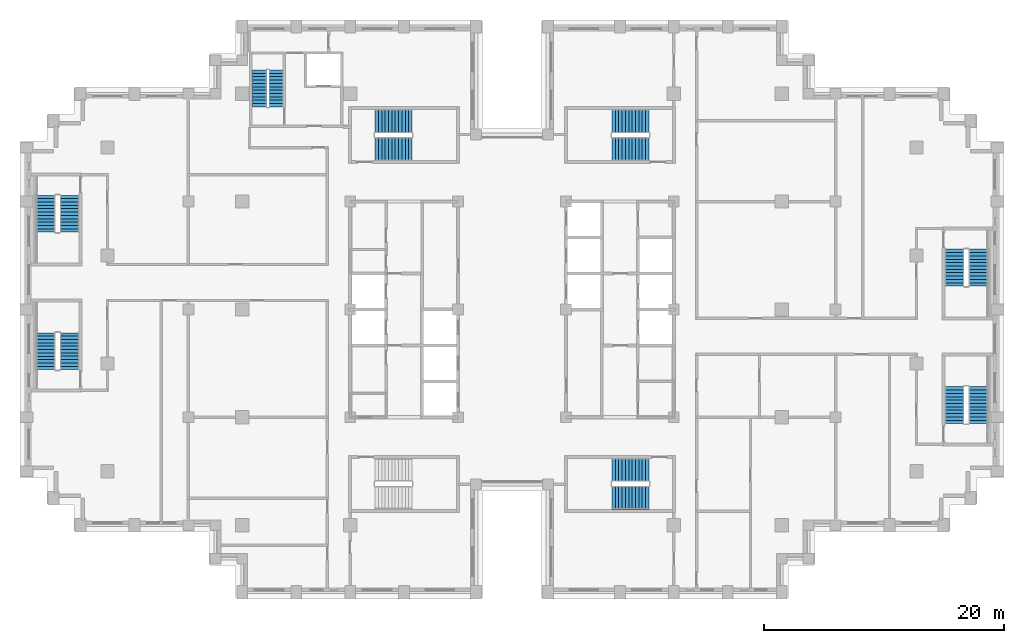
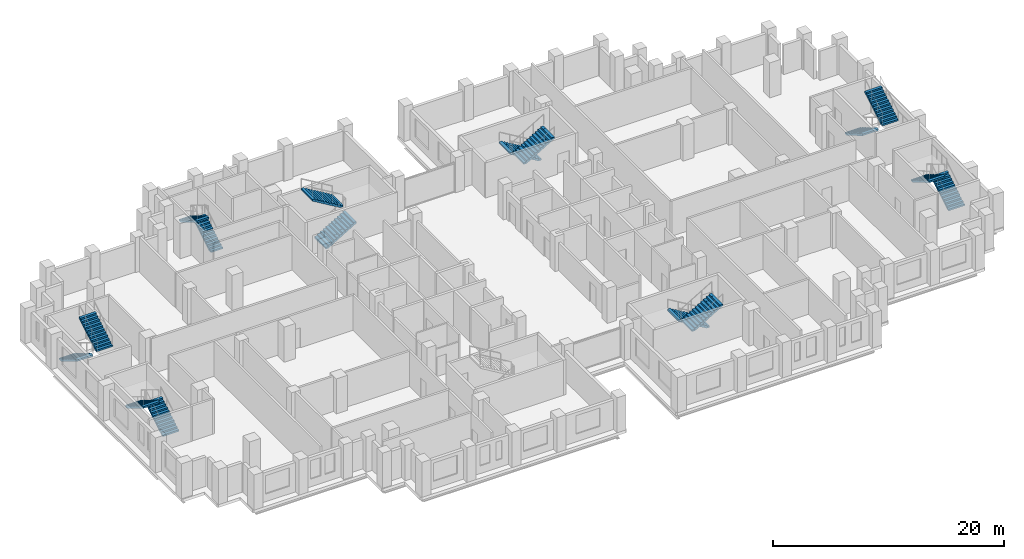
# One storey, part 13 of 15: 16 stair flights, 8 elements without a shape of their own.
"""IFC4 building model written with IfcOpenShell, lengths in metres."""

from ifc_helpers import new_model, si_unit, direction, frame, origin, place, context, subcontext, project, spatial, polyline, outline, extrude, material, type_object, element, aggregate, save


model = new_model("IFC4")

# Units and contexts
model_context = context("Model", 3, precision=1e-05, world=origin(), true_north=direction((0.0, 1.0)))
body_context = subcontext(model_context, "Body", "Model", "MODEL_VIEW")
ifc_project = project(units=[si_unit("LENGTHUNIT", "METRE"), si_unit("AREAUNIT", "SQUARE_METRE"), si_unit("VOLUMEUNIT", "CUBIC_METRE"), si_unit("PLANEANGLEUNIT", "RADIAN"), si_unit("MASSUNIT", "GRAM", prefix="KILO")], contexts=[model_context])

# Site, building, storey
site_placement = place(None, origin())
site = spatial("IfcSite", under=ifc_project, at=site_placement, CompositionType="ELEMENT")
building_placement = place(site_placement, origin())
building = spatial("IfcBuilding", under=site, at=building_placement, Name="Corbelhall Arena Tower", CompositionType="ELEMENT")
storey_placement = place(building_placement, frame((0.0, 0.0, 142.0)))
storey = spatial("IfcBuildingStorey", under=building, at=storey_placement, Name="L27", CompositionType="ELEMENT", Elevation=142.0)

# Stair, stair flights
ifc_material = material(Name="Concrete C40/50", Category="concrete")
stair_type = type_object("IfcStairType", Name="IN-ST-TOWER", PredefinedType="HALF_TURN_STAIR", material=ifc_material)
stair_1_placement = place(storey_placement, origin())
stair_1 = element("IfcStair", 1, at=stair_1_placement, inside=storey, type_object=stair_type, Name="L27 Exit stair ST1", PredefinedType="HALF_TURN_STAIR")
stair_flight_type = type_object("IfcStairFlightType", Name="IN-SFL-RC", PredefinedType="STRAIGHT", material=ifc_material)
stair_flight_1_placement = place(storey_placement, frame((-11.425048828125, 13.39990234375, 0.0), z_axis=(0.0, 0.0, 1.0), x_axis=(1.0, 0.0, 0.0)))
stair_flight_1 = element("IfcStairFlight", 2, at=stair_flight_1_placement, type_object=stair_flight_type, Name="ST1 flight 1", NumberOfRisers=12, NumberOfTreads=11, PredefinedType="STRAIGHT", RiserHeight=0.166666667, TreadLength=0.28, context=body_context, shape_type="SweptSolid", body=[
    extrude(outline(polyline([(0.0, 0.0), (0.0, 0.166748046875), (0.280029296875, 0.166748046875), (0.280029296875, 0.333251953125), (0.56005859375, 0.333251953125), (0.56005859375, 0.5), (0.840087890625, 0.5), (0.840087890625, 0.666748046875), (1.1201171875, 0.666748046875), (1.1201171875, 0.833251953125), (1.39990234375, 0.833251953125), (1.39990234375, 1.0), (1.679931640625, 1.0), (1.679931640625, 1.166748046875), (1.9599609375, 1.166748046875), (1.9599609375, 1.333251953125), (2.239990234375, 1.333251953125), (2.239990234375, 1.5), (2.52001953125, 1.5), (2.52001953125, 1.666748046875), (2.800048828125, 1.666748046875), (2.800048828125, 1.833251953125), (3.080078125, 1.833251953125), (3.080078125, 2.0), (3.080078125, 1.658935546875), (0.29296875, 0.0), (0.0, 0.0)])), frame((0.0, 0.97509765625, 0.0), z_axis=(0.0, -1.0, 0.0), x_axis=(1.0, 0.0, 0.0)), (0.0, 0.0, 1.0), 0.449951171875),
    extrude(outline(polyline([(0.0, 0.0), (0.0, 0.166748046875), (0.280029296875, 0.166748046875), (0.280029296875, 0.333251953125), (0.56005859375, 0.333251953125), (0.56005859375, 0.5), (0.840087890625, 0.5), (0.840087890625, 0.666748046875), (1.1201171875, 0.666748046875), (1.1201171875, 0.833251953125), (1.39990234375, 0.833251953125), (1.39990234375, 1.0), (1.679931640625, 1.0), (1.679931640625, 1.166748046875), (1.9599609375, 1.166748046875), (1.9599609375, 1.333251953125), (2.239990234375, 1.333251953125), (2.239990234375, 1.5), (2.52001953125, 1.5), (2.52001953125, 1.666748046875), (2.800048828125, 1.666748046875), (2.800048828125, 1.833251953125), (3.080078125, 1.833251953125), (3.080078125, 2.0), (3.080078125, 1.658935546875), (0.29296875, 0.0), (0.0, 0.0)])), frame((0.0, 0.52099609375, 0.0), z_axis=(0.0, -1.0, 0.0), x_axis=(1.0, 0.0, 0.0)), (0.0, 0.0, 1.0), 1.0419921875),
    extrude(outline(polyline([(0.0, 0.0), (0.0, 0.166748046875), (0.280029296875, 0.166748046875), (0.280029296875, 0.333251953125), (0.56005859375, 0.333251953125), (0.56005859375, 0.5), (0.840087890625, 0.5), (0.840087890625, 0.666748046875), (1.1201171875, 0.666748046875), (1.1201171875, 0.833251953125), (1.39990234375, 0.833251953125), (1.39990234375, 1.0), (1.679931640625, 1.0), (1.679931640625, 1.166748046875), (1.9599609375, 1.166748046875), (1.9599609375, 1.333251953125), (2.239990234375, 1.333251953125), (2.239990234375, 1.5), (2.52001953125, 1.5), (2.52001953125, 1.666748046875), (2.800048828125, 1.666748046875), (2.800048828125, 1.833251953125), (3.080078125, 1.833251953125), (3.080078125, 2.0), (3.080078125, 1.658935546875), (0.29296875, 0.0), (0.0, 0.0)])), frame((0.0, -0.52490234375, 0.0), z_axis=(0.0, -1.0, 0.0), x_axis=(1.0, 0.0, 0.0)), (0.0, 0.0, 1.0), 0.449951171875),
])
stair_flight_2_placement = place(storey_placement, frame((-8.344970703125, 15.699951171875, 2.0), z_axis=(0.0, 0.0, 1.0), x_axis=(-1.0, 0.0, 0.0)))
stair_flight_2 = element("IfcStairFlight", 3, at=stair_flight_2_placement, type_object=stair_flight_type, Name="ST1 flight 2", NumberOfRisers=12, NumberOfTreads=11, PredefinedType="STRAIGHT", RiserHeight=0.166666667, TreadLength=0.28, context=body_context, shape_type="SweptSolid", body=[
    extrude(outline(polyline([(0.0, 0.0), (0.0, 0.166748046875), (0.280029296875, 0.166748046875), (0.280029296875, 0.333251953125), (0.56005859375, 0.333251953125), (0.56005859375, 0.5), (0.840087890625, 0.5), (0.840087890625, 0.666748046875), (1.1201171875, 0.666748046875), (1.1201171875, 0.833251953125), (1.39990234375, 0.833251953125), (1.39990234375, 1.0), (1.679931640625, 1.0), (1.679931640625, 1.166748046875), (1.9599609375, 1.166748046875), (1.9599609375, 1.333251953125), (2.239990234375, 1.333251953125), (2.239990234375, 1.5), (2.52001953125, 1.5), (2.52001953125, 1.666748046875), (2.800048828125, 1.666748046875), (2.800048828125, 1.833251953125), (3.080078125, 1.833251953125), (3.080078125, 2.0), (3.080078125, 1.658935546875), (0.29296875, 0.0), (0.0, 0.0)])), frame((0.0, 0.97509765625, 0.0), z_axis=(0.0, -1.0, 0.0), x_axis=(1.0, 0.0, 0.0)), (0.0, 0.0, 1.0), 0.449951171875),
    extrude(outline(polyline([(0.0, 0.0), (0.0, 0.166748046875), (0.280029296875, 0.166748046875), (0.280029296875, 0.333251953125), (0.56005859375, 0.333251953125), (0.56005859375, 0.5), (0.840087890625, 0.5), (0.840087890625, 0.666748046875), (1.1201171875, 0.666748046875), (1.1201171875, 0.833251953125), (1.39990234375, 0.833251953125), (1.39990234375, 1.0), (1.679931640625, 1.0), (1.679931640625, 1.166748046875), (1.9599609375, 1.166748046875), (1.9599609375, 1.333251953125), (2.239990234375, 1.333251953125), (2.239990234375, 1.5), (2.52001953125, 1.5), (2.52001953125, 1.666748046875), (2.800048828125, 1.666748046875), (2.800048828125, 1.833251953125), (3.080078125, 1.833251953125), (3.080078125, 2.0), (3.080078125, 1.658935546875), (0.29296875, 0.0), (0.0, 0.0)])), frame((0.0, 0.52099609375, 0.0), z_axis=(0.0, -1.0, 0.0), x_axis=(1.0, 0.0, 0.0)), (0.0, 0.0, 1.0), 1.0419921875),
    extrude(outline(polyline([(0.0, 0.0), (0.0, 0.166748046875), (0.280029296875, 0.166748046875), (0.280029296875, 0.333251953125), (0.56005859375, 0.333251953125), (0.56005859375, 0.5), (0.840087890625, 0.5), (0.840087890625, 0.666748046875), (1.1201171875, 0.666748046875), (1.1201171875, 0.833251953125), (1.39990234375, 0.833251953125), (1.39990234375, 1.0), (1.679931640625, 1.0), (1.679931640625, 1.166748046875), (1.9599609375, 1.166748046875), (1.9599609375, 1.333251953125), (2.239990234375, 1.333251953125), (2.239990234375, 1.5), (2.52001953125, 1.5), (2.52001953125, 1.666748046875), (2.800048828125, 1.666748046875), (2.800048828125, 1.833251953125), (3.080078125, 1.833251953125), (3.080078125, 2.0), (3.080078125, 1.658935546875), (0.29296875, 0.0), (0.0, 0.0)])), frame((0.0, -0.52490234375, 0.0), z_axis=(0.0, -1.0, 0.0), x_axis=(1.0, 0.0, 0.0)), (0.0, 0.0, 1.0), 0.449951171875),
])
aggregate(stair_1, [stair_flight_1, stair_flight_2])

stair_2_placement = place(storey_placement, origin())
stair_2 = element("IfcStair", 4, at=stair_2_placement, inside=storey, type_object=stair_type, Name="L27 Exit stair ST3", PredefinedType="HALF_TURN_STAIR")
stair_flight_3_placement = place(storey_placement, frame((11.425048828125, 15.699951171875, 0.0), z_axis=(0.0, 0.0, 1.0), x_axis=(-1.0, 0.0, 0.0)))
stair_flight_3 = element("IfcStairFlight", 5, at=stair_flight_3_placement, type_object=stair_flight_type, Name="ST3 flight 1", NumberOfRisers=12, NumberOfTreads=11, PredefinedType="STRAIGHT", RiserHeight=0.166666667, TreadLength=0.28, context=body_context, shape_type="SweptSolid", body=[
    extrude(outline(polyline([(0.0, 0.0), (0.0, 0.166748046875), (0.280029296875, 0.166748046875), (0.280029296875, 0.333251953125), (0.56005859375, 0.333251953125), (0.56005859375, 0.5), (0.840087890625, 0.5), (0.840087890625, 0.666748046875), (1.1201171875, 0.666748046875), (1.1201171875, 0.833251953125), (1.39990234375, 0.833251953125), (1.39990234375, 1.0), (1.679931640625, 1.0), (1.679931640625, 1.166748046875), (1.9599609375, 1.166748046875), (1.9599609375, 1.333251953125), (2.239990234375, 1.333251953125), (2.239990234375, 1.5), (2.52001953125, 1.5), (2.52001953125, 1.666748046875), (2.800048828125, 1.666748046875), (2.800048828125, 1.833251953125), (3.080078125, 1.833251953125), (3.080078125, 2.0), (3.080078125, 1.658935546875), (0.29296875, 0.0), (0.0, 0.0)])), frame((0.0, 0.97509765625, 0.0), z_axis=(0.0, -1.0, 0.0), x_axis=(1.0, 0.0, 0.0)), (0.0, 0.0, 1.0), 0.449951171875),
    extrude(outline(polyline([(0.0, 0.0), (0.0, 0.166748046875), (0.280029296875, 0.166748046875), (0.280029296875, 0.333251953125), (0.56005859375, 0.333251953125), (0.56005859375, 0.5), (0.840087890625, 0.5), (0.840087890625, 0.666748046875), (1.1201171875, 0.666748046875), (1.1201171875, 0.833251953125), (1.39990234375, 0.833251953125), (1.39990234375, 1.0), (1.679931640625, 1.0), (1.679931640625, 1.166748046875), (1.9599609375, 1.166748046875), (1.9599609375, 1.333251953125), (2.239990234375, 1.333251953125), (2.239990234375, 1.5), (2.52001953125, 1.5), (2.52001953125, 1.666748046875), (2.800048828125, 1.666748046875), (2.800048828125, 1.833251953125), (3.080078125, 1.833251953125), (3.080078125, 2.0), (3.080078125, 1.658935546875), (0.29296875, 0.0), (0.0, 0.0)])), frame((0.0, 0.52099609375, 0.0), z_axis=(0.0, -1.0, 0.0), x_axis=(1.0, 0.0, 0.0)), (0.0, 0.0, 1.0), 1.0419921875),
    extrude(outline(polyline([(0.0, 0.0), (0.0, 0.166748046875), (0.280029296875, 0.166748046875), (0.280029296875, 0.333251953125), (0.56005859375, 0.333251953125), (0.56005859375, 0.5), (0.840087890625, 0.5), (0.840087890625, 0.666748046875), (1.1201171875, 0.666748046875), (1.1201171875, 0.833251953125), (1.39990234375, 0.833251953125), (1.39990234375, 1.0), (1.679931640625, 1.0), (1.679931640625, 1.166748046875), (1.9599609375, 1.166748046875), (1.9599609375, 1.333251953125), (2.239990234375, 1.333251953125), (2.239990234375, 1.5), (2.52001953125, 1.5), (2.52001953125, 1.666748046875), (2.800048828125, 1.666748046875), (2.800048828125, 1.833251953125), (3.080078125, 1.833251953125), (3.080078125, 2.0), (3.080078125, 1.658935546875), (0.29296875, 0.0), (0.0, 0.0)])), frame((0.0, -0.52490234375, 0.0), z_axis=(0.0, -1.0, 0.0), x_axis=(1.0, 0.0, 0.0)), (0.0, 0.0, 1.0), 0.449951171875),
])
stair_flight_4_placement = place(storey_placement, frame((8.344970703125, 13.39990234375, 2.0), z_axis=(0.0, 0.0, 1.0), x_axis=(1.0, 0.0, 0.0)))
stair_flight_4 = element("IfcStairFlight", 6, at=stair_flight_4_placement, type_object=stair_flight_type, Name="ST3 flight 2", NumberOfRisers=12, NumberOfTreads=11, PredefinedType="STRAIGHT", RiserHeight=0.166666667, TreadLength=0.28, context=body_context, shape_type="SweptSolid", body=[
    extrude(outline(polyline([(0.0, 0.0), (0.0, 0.166748046875), (0.280029296875, 0.166748046875), (0.280029296875, 0.333251953125), (0.56005859375, 0.333251953125), (0.56005859375, 0.5), (0.840087890625, 0.5), (0.840087890625, 0.666748046875), (1.1201171875, 0.666748046875), (1.1201171875, 0.833251953125), (1.39990234375, 0.833251953125), (1.39990234375, 1.0), (1.679931640625, 1.0), (1.679931640625, 1.166748046875), (1.9599609375, 1.166748046875), (1.9599609375, 1.333251953125), (2.239990234375, 1.333251953125), (2.239990234375, 1.5), (2.52001953125, 1.5), (2.52001953125, 1.666748046875), (2.800048828125, 1.666748046875), (2.800048828125, 1.833251953125), (3.080078125, 1.833251953125), (3.080078125, 2.0), (3.080078125, 1.658935546875), (0.29296875, 0.0), (0.0, 0.0)])), frame((0.0, 0.97509765625, 0.0), z_axis=(0.0, -1.0, 0.0), x_axis=(1.0, 0.0, 0.0)), (0.0, 0.0, 1.0), 0.449951171875),
    extrude(outline(polyline([(0.0, 0.0), (0.0, 0.166748046875), (0.280029296875, 0.166748046875), (0.280029296875, 0.333251953125), (0.56005859375, 0.333251953125), (0.56005859375, 0.5), (0.840087890625, 0.5), (0.840087890625, 0.666748046875), (1.1201171875, 0.666748046875), (1.1201171875, 0.833251953125), (1.39990234375, 0.833251953125), (1.39990234375, 1.0), (1.679931640625, 1.0), (1.679931640625, 1.166748046875), (1.9599609375, 1.166748046875), (1.9599609375, 1.333251953125), (2.239990234375, 1.333251953125), (2.239990234375, 1.5), (2.52001953125, 1.5), (2.52001953125, 1.666748046875), (2.800048828125, 1.666748046875), (2.800048828125, 1.833251953125), (3.080078125, 1.833251953125), (3.080078125, 2.0), (3.080078125, 1.658935546875), (0.29296875, 0.0), (0.0, 0.0)])), frame((0.0, 0.52099609375, 0.0), z_axis=(0.0, -1.0, 0.0), x_axis=(1.0, 0.0, 0.0)), (0.0, 0.0, 1.0), 1.0419921875),
    extrude(outline(polyline([(0.0, 0.0), (0.0, 0.166748046875), (0.280029296875, 0.166748046875), (0.280029296875, 0.333251953125), (0.56005859375, 0.333251953125), (0.56005859375, 0.5), (0.840087890625, 0.5), (0.840087890625, 0.666748046875), (1.1201171875, 0.666748046875), (1.1201171875, 0.833251953125), (1.39990234375, 0.833251953125), (1.39990234375, 1.0), (1.679931640625, 1.0), (1.679931640625, 1.166748046875), (1.9599609375, 1.166748046875), (1.9599609375, 1.333251953125), (2.239990234375, 1.333251953125), (2.239990234375, 1.5), (2.52001953125, 1.5), (2.52001953125, 1.666748046875), (2.800048828125, 1.666748046875), (2.800048828125, 1.833251953125), (3.080078125, 1.833251953125), (3.080078125, 2.0), (3.080078125, 1.658935546875), (0.29296875, 0.0), (0.0, 0.0)])), frame((0.0, -0.52490234375, 0.0), z_axis=(0.0, -1.0, 0.0), x_axis=(1.0, 0.0, 0.0)), (0.0, 0.0, 1.0), 0.449951171875),
])
aggregate(stair_2, [stair_flight_3, stair_flight_4])

stair_3_placement = place(storey_placement, origin())
stair_3 = element("IfcStair", 7, at=stair_3_placement, inside=storey, type_object=stair_type, Name="L27 Exit stair ST4", PredefinedType="HALF_TURN_STAIR")
stair_flight_5_placement = place(storey_placement, frame((11.425048828125, -13.39990234375, 0.0), z_axis=(0.0, 0.0, 1.0), x_axis=(-1.0, 0.0, 0.0)))
stair_flight_5 = element("IfcStairFlight", 8, at=stair_flight_5_placement, type_object=stair_flight_type, Name="ST4 flight 1", NumberOfRisers=12, NumberOfTreads=11, PredefinedType="STRAIGHT", RiserHeight=0.166666667, TreadLength=0.28, context=body_context, shape_type="SweptSolid", body=[
    extrude(outline(polyline([(0.0, 0.0), (0.0, 0.166748046875), (0.280029296875, 0.166748046875), (0.280029296875, 0.333251953125), (0.56005859375, 0.333251953125), (0.56005859375, 0.5), (0.840087890625, 0.5), (0.840087890625, 0.666748046875), (1.1201171875, 0.666748046875), (1.1201171875, 0.833251953125), (1.39990234375, 0.833251953125), (1.39990234375, 1.0), (1.679931640625, 1.0), (1.679931640625, 1.166748046875), (1.9599609375, 1.166748046875), (1.9599609375, 1.333251953125), (2.239990234375, 1.333251953125), (2.239990234375, 1.5), (2.52001953125, 1.5), (2.52001953125, 1.666748046875), (2.800048828125, 1.666748046875), (2.800048828125, 1.833251953125), (3.080078125, 1.833251953125), (3.080078125, 2.0), (3.080078125, 1.658935546875), (0.29296875, 0.0), (0.0, 0.0)])), frame((0.0, 0.97509765625, 0.0), z_axis=(0.0, -1.0, 0.0), x_axis=(1.0, 0.0, 0.0)), (0.0, 0.0, 1.0), 0.449951171875),
    extrude(outline(polyline([(0.0, 0.0), (0.0, 0.166748046875), (0.280029296875, 0.166748046875), (0.280029296875, 0.333251953125), (0.56005859375, 0.333251953125), (0.56005859375, 0.5), (0.840087890625, 0.5), (0.840087890625, 0.666748046875), (1.1201171875, 0.666748046875), (1.1201171875, 0.833251953125), (1.39990234375, 0.833251953125), (1.39990234375, 1.0), (1.679931640625, 1.0), (1.679931640625, 1.166748046875), (1.9599609375, 1.166748046875), (1.9599609375, 1.333251953125), (2.239990234375, 1.333251953125), (2.239990234375, 1.5), (2.52001953125, 1.5), (2.52001953125, 1.666748046875), (2.800048828125, 1.666748046875), (2.800048828125, 1.833251953125), (3.080078125, 1.833251953125), (3.080078125, 2.0), (3.080078125, 1.658935546875), (0.29296875, 0.0), (0.0, 0.0)])), frame((0.0, 0.52099609375, 0.0), z_axis=(0.0, -1.0, 0.0), x_axis=(1.0, 0.0, 0.0)), (0.0, 0.0, 1.0), 1.0419921875),
    extrude(outline(polyline([(0.0, 0.0), (0.0, 0.166748046875), (0.280029296875, 0.166748046875), (0.280029296875, 0.333251953125), (0.56005859375, 0.333251953125), (0.56005859375, 0.5), (0.840087890625, 0.5), (0.840087890625, 0.666748046875), (1.1201171875, 0.666748046875), (1.1201171875, 0.833251953125), (1.39990234375, 0.833251953125), (1.39990234375, 1.0), (1.679931640625, 1.0), (1.679931640625, 1.166748046875), (1.9599609375, 1.166748046875), (1.9599609375, 1.333251953125), (2.239990234375, 1.333251953125), (2.239990234375, 1.5), (2.52001953125, 1.5), (2.52001953125, 1.666748046875), (2.800048828125, 1.666748046875), (2.800048828125, 1.833251953125), (3.080078125, 1.833251953125), (3.080078125, 2.0), (3.080078125, 1.658935546875), (0.29296875, 0.0), (0.0, 0.0)])), frame((0.0, -0.52490234375, 0.0), z_axis=(0.0, -1.0, 0.0), x_axis=(1.0, 0.0, 0.0)), (0.0, 0.0, 1.0), 0.449951171875),
])
stair_flight_6_placement = place(storey_placement, frame((8.344970703125, -15.699951171875, 2.0), z_axis=(0.0, 0.0, 1.0), x_axis=(1.0, 0.0, 0.0)))
stair_flight_6 = element("IfcStairFlight", 9, at=stair_flight_6_placement, type_object=stair_flight_type, Name="ST4 flight 2", NumberOfRisers=12, NumberOfTreads=11, PredefinedType="STRAIGHT", RiserHeight=0.166666667, TreadLength=0.28, context=body_context, shape_type="SweptSolid", body=[
    extrude(outline(polyline([(0.0, 0.0), (0.0, 0.166748046875), (0.280029296875, 0.166748046875), (0.280029296875, 0.333251953125), (0.56005859375, 0.333251953125), (0.56005859375, 0.5), (0.840087890625, 0.5), (0.840087890625, 0.666748046875), (1.1201171875, 0.666748046875), (1.1201171875, 0.833251953125), (1.39990234375, 0.833251953125), (1.39990234375, 1.0), (1.679931640625, 1.0), (1.679931640625, 1.166748046875), (1.9599609375, 1.166748046875), (1.9599609375, 1.333251953125), (2.239990234375, 1.333251953125), (2.239990234375, 1.5), (2.52001953125, 1.5), (2.52001953125, 1.666748046875), (2.800048828125, 1.666748046875), (2.800048828125, 1.833251953125), (3.080078125, 1.833251953125), (3.080078125, 2.0), (3.080078125, 1.658935546875), (0.29296875, 0.0), (0.0, 0.0)])), frame((0.0, 0.97509765625, 0.0), z_axis=(0.0, -1.0, 0.0), x_axis=(1.0, 0.0, 0.0)), (0.0, 0.0, 1.0), 0.449951171875),
    extrude(outline(polyline([(0.0, 0.0), (0.0, 0.166748046875), (0.280029296875, 0.166748046875), (0.280029296875, 0.333251953125), (0.56005859375, 0.333251953125), (0.56005859375, 0.5), (0.840087890625, 0.5), (0.840087890625, 0.666748046875), (1.1201171875, 0.666748046875), (1.1201171875, 0.833251953125), (1.39990234375, 0.833251953125), (1.39990234375, 1.0), (1.679931640625, 1.0), (1.679931640625, 1.166748046875), (1.9599609375, 1.166748046875), (1.9599609375, 1.333251953125), (2.239990234375, 1.333251953125), (2.239990234375, 1.5), (2.52001953125, 1.5), (2.52001953125, 1.666748046875), (2.800048828125, 1.666748046875), (2.800048828125, 1.833251953125), (3.080078125, 1.833251953125), (3.080078125, 2.0), (3.080078125, 1.658935546875), (0.29296875, 0.0), (0.0, 0.0)])), frame((0.0, 0.52099609375, 0.0), z_axis=(0.0, -1.0, 0.0), x_axis=(1.0, 0.0, 0.0)), (0.0, 0.0, 1.0), 1.0419921875),
    extrude(outline(polyline([(0.0, 0.0), (0.0, 0.166748046875), (0.280029296875, 0.166748046875), (0.280029296875, 0.333251953125), (0.56005859375, 0.333251953125), (0.56005859375, 0.5), (0.840087890625, 0.5), (0.840087890625, 0.666748046875), (1.1201171875, 0.666748046875), (1.1201171875, 0.833251953125), (1.39990234375, 0.833251953125), (1.39990234375, 1.0), (1.679931640625, 1.0), (1.679931640625, 1.166748046875), (1.9599609375, 1.166748046875), (1.9599609375, 1.333251953125), (2.239990234375, 1.333251953125), (2.239990234375, 1.5), (2.52001953125, 1.5), (2.52001953125, 1.666748046875), (2.800048828125, 1.666748046875), (2.800048828125, 1.833251953125), (3.080078125, 1.833251953125), (3.080078125, 2.0), (3.080078125, 1.658935546875), (0.29296875, 0.0), (0.0, 0.0)])), frame((0.0, -0.52490234375, 0.0), z_axis=(0.0, -1.0, 0.0), x_axis=(1.0, 0.0, 0.0)), (0.0, 0.0, 1.0), 0.449951171875),
])
aggregate(stair_3, [stair_flight_5, stair_flight_6])

stair_4_placement = place(storey_placement, origin())
stair_4 = element("IfcStair", 10, at=stair_4_placement, inside=storey, type_object=stair_type, Name="L27 Exit stair SC1", PredefinedType="HALF_TURN_STAIR")
stair_flight_7_placement = place(storey_placement, frame((-38.89990234375, 9.52490234375, 0.0), z_axis=(0.0, 0.0, 1.0), x_axis=(0.0, -1.0, 0.0)))
stair_flight_7 = element("IfcStairFlight", 11, at=stair_flight_7_placement, type_object=stair_flight_type, Name="SC1 flight 1", NumberOfRisers=12, NumberOfTreads=11, PredefinedType="STRAIGHT", RiserHeight=0.166666667, TreadLength=0.28, context=body_context, shape_type="SweptSolid", body=[
    extrude(outline(polyline([(0.0, 0.0), (0.0, 0.166748046875), (0.280029296875, 0.166748046875), (0.280029296875, 0.333251953125), (0.56005859375, 0.333251953125), (0.56005859375, 0.5), (0.840087890625, 0.5), (0.840087890625, 0.666748046875), (1.1201171875, 0.666748046875), (1.1201171875, 0.833251953125), (1.39990234375, 0.833251953125), (1.39990234375, 1.0), (1.679931640625, 1.0), (1.679931640625, 1.166748046875), (1.9599609375, 1.166748046875), (1.9599609375, 1.333251953125), (2.239990234375, 1.333251953125), (2.239990234375, 1.5), (2.52001953125, 1.5), (2.52001953125, 1.666748046875), (2.800048828125, 1.666748046875), (2.800048828125, 1.833251953125), (3.080078125, 1.833251953125), (3.080078125, 2.0), (3.080078125, 1.658935546875), (0.29296875, 0.0), (0.0, 0.0)])), frame((0.0, 0.800048828125, 0.0), z_axis=(0.0, -1.0, 0.0), x_axis=(1.0, 0.0, 0.0)), (0.0, 0.0, 1.0), 1.60009765625),
])
stair_flight_8_placement = place(storey_placement, frame((-36.925048828125, 6.445068359375, 2.0), z_axis=(0.0, 0.0, 1.0), x_axis=(0.0, 1.0, 0.0)))
stair_flight_8 = element("IfcStairFlight", 12, at=stair_flight_8_placement, type_object=stair_flight_type, Name="SC1 flight 2", NumberOfRisers=12, NumberOfTreads=11, PredefinedType="STRAIGHT", RiserHeight=0.166666667, TreadLength=0.28, context=body_context, shape_type="SweptSolid", body=[
    extrude(outline(polyline([(0.0, 0.0), (0.0, 0.166748046875), (0.280029296875, 0.166748046875), (0.280029296875, 0.333251953125), (0.56005859375, 0.333251953125), (0.56005859375, 0.5), (0.840087890625, 0.5), (0.840087890625, 0.666748046875), (1.1201171875, 0.666748046875), (1.1201171875, 0.833251953125), (1.39990234375, 0.833251953125), (1.39990234375, 1.0), (1.679931640625, 1.0), (1.679931640625, 1.166748046875), (1.9599609375, 1.166748046875), (1.9599609375, 1.333251953125), (2.239990234375, 1.333251953125), (2.239990234375, 1.5), (2.52001953125, 1.5), (2.52001953125, 1.666748046875), (2.800048828125, 1.666748046875), (2.800048828125, 1.833251953125), (3.080078125, 1.833251953125), (3.080078125, 2.0), (3.080078125, 1.658935546875), (0.29296875, 0.0), (0.0, 0.0)])), frame((0.0, 0.800048828125, 0.0), z_axis=(0.0, -1.0, 0.0), x_axis=(1.0, 0.0, 0.0)), (0.0, 0.0, 1.0), 1.60009765625),
])
aggregate(stair_4, [stair_flight_7, stair_flight_8])

stair_5_placement = place(storey_placement, origin())
stair_5 = element("IfcStair", 13, at=stair_5_placement, inside=storey, type_object=stair_type, Name="L27 Exit stair SC2", PredefinedType="HALF_TURN_STAIR")
stair_flight_9_placement = place(storey_placement, frame((-36.925048828125, -5.02490234375, 0.0), z_axis=(0.0, 0.0, 1.0), x_axis=(0.0, 1.0, 0.0)))
stair_flight_9 = element("IfcStairFlight", 14, at=stair_flight_9_placement, type_object=stair_flight_type, Name="SC2 flight 1", NumberOfRisers=12, NumberOfTreads=11, PredefinedType="STRAIGHT", RiserHeight=0.166666667, TreadLength=0.28, context=body_context, shape_type="SweptSolid", body=[
    extrude(outline(polyline([(0.0, 0.0), (0.0, 0.166748046875), (0.280029296875, 0.166748046875), (0.280029296875, 0.333251953125), (0.56005859375, 0.333251953125), (0.56005859375, 0.5), (0.840087890625, 0.5), (0.840087890625, 0.666748046875), (1.1201171875, 0.666748046875), (1.1201171875, 0.833251953125), (1.39990234375, 0.833251953125), (1.39990234375, 1.0), (1.679931640625, 1.0), (1.679931640625, 1.166748046875), (1.9599609375, 1.166748046875), (1.9599609375, 1.333251953125), (2.239990234375, 1.333251953125), (2.239990234375, 1.5), (2.52001953125, 1.5), (2.52001953125, 1.666748046875), (2.800048828125, 1.666748046875), (2.800048828125, 1.833251953125), (3.080078125, 1.833251953125), (3.080078125, 2.0), (3.080078125, 1.658935546875), (0.29296875, 0.0), (0.0, 0.0)])), frame((0.0, 0.800048828125, 0.0), z_axis=(0.0, -1.0, 0.0), x_axis=(1.0, 0.0, 0.0)), (0.0, 0.0, 1.0), 1.60009765625),
])
stair_flight_10_placement = place(storey_placement, frame((-38.89990234375, -1.945068359375, 2.0), z_axis=(0.0, 0.0, 1.0), x_axis=(0.0, -1.0, 0.0)))
stair_flight_10 = element("IfcStairFlight", 15, at=stair_flight_10_placement, type_object=stair_flight_type, Name="SC2 flight 2", NumberOfRisers=12, NumberOfTreads=11, PredefinedType="STRAIGHT", RiserHeight=0.166666667, TreadLength=0.28, context=body_context, shape_type="SweptSolid", body=[
    extrude(outline(polyline([(0.0, 0.0), (0.0, 0.166748046875), (0.280029296875, 0.166748046875), (0.280029296875, 0.333251953125), (0.56005859375, 0.333251953125), (0.56005859375, 0.5), (0.840087890625, 0.5), (0.840087890625, 0.666748046875), (1.1201171875, 0.666748046875), (1.1201171875, 0.833251953125), (1.39990234375, 0.833251953125), (1.39990234375, 1.0), (1.679931640625, 1.0), (1.679931640625, 1.166748046875), (1.9599609375, 1.166748046875), (1.9599609375, 1.333251953125), (2.239990234375, 1.333251953125), (2.239990234375, 1.5), (2.52001953125, 1.5), (2.52001953125, 1.666748046875), (2.800048828125, 1.666748046875), (2.800048828125, 1.833251953125), (3.080078125, 1.833251953125), (3.080078125, 2.0), (3.080078125, 1.658935546875), (0.29296875, 0.0), (0.0, 0.0)])), frame((0.0, 0.800048828125, 0.0), z_axis=(0.0, -1.0, 0.0), x_axis=(1.0, 0.0, 0.0)), (0.0, 0.0, 1.0), 1.60009765625),
])
aggregate(stair_5, [stair_flight_9, stair_flight_10])

stair_6_placement = place(storey_placement, origin())
stair_6 = element("IfcStair", 16, at=stair_6_placement, inside=storey, type_object=stair_type, Name="L27 Exit stair SD1", PredefinedType="HALF_TURN_STAIR")
stair_flight_11_placement = place(storey_placement, frame((38.89990234375, -9.52490234375, 0.0), z_axis=(0.0, 0.0, 1.0), x_axis=(0.0, 1.0, 0.0)))
stair_flight_11 = element("IfcStairFlight", 17, at=stair_flight_11_placement, type_object=stair_flight_type, Name="SD1 flight 1", NumberOfRisers=12, NumberOfTreads=11, PredefinedType="STRAIGHT", RiserHeight=0.166666667, TreadLength=0.28, context=body_context, shape_type="SweptSolid", body=[
    extrude(outline(polyline([(0.0, 0.0), (0.0, 0.166748046875), (0.280029296875, 0.166748046875), (0.280029296875, 0.333251953125), (0.56005859375, 0.333251953125), (0.56005859375, 0.5), (0.840087890625, 0.5), (0.840087890625, 0.666748046875), (1.1201171875, 0.666748046875), (1.1201171875, 0.833251953125), (1.39990234375, 0.833251953125), (1.39990234375, 1.0), (1.679931640625, 1.0), (1.679931640625, 1.166748046875), (1.9599609375, 1.166748046875), (1.9599609375, 1.333251953125), (2.239990234375, 1.333251953125), (2.239990234375, 1.5), (2.52001953125, 1.5), (2.52001953125, 1.666748046875), (2.800048828125, 1.666748046875), (2.800048828125, 1.833251953125), (3.080078125, 1.833251953125), (3.080078125, 2.0), (3.080078125, 1.658935546875), (0.29296875, 0.0), (0.0, 0.0)])), frame((0.0, 0.800048828125, 0.0), z_axis=(0.0, -1.0, 0.0), x_axis=(1.0, 0.0, 0.0)), (0.0, 0.0, 1.0), 1.60009765625),
])
stair_flight_12_placement = place(storey_placement, frame((36.925048828125, -6.445068359375, 2.0), z_axis=(0.0, 0.0, 1.0), x_axis=(0.0, -1.0, 0.0)))
stair_flight_12 = element("IfcStairFlight", 18, at=stair_flight_12_placement, type_object=stair_flight_type, Name="SD1 flight 2", NumberOfRisers=12, NumberOfTreads=11, PredefinedType="STRAIGHT", RiserHeight=0.166666667, TreadLength=0.28, context=body_context, shape_type="SweptSolid", body=[
    extrude(outline(polyline([(0.0, 0.0), (0.0, 0.166748046875), (0.280029296875, 0.166748046875), (0.280029296875, 0.333251953125), (0.56005859375, 0.333251953125), (0.56005859375, 0.5), (0.840087890625, 0.5), (0.840087890625, 0.666748046875), (1.1201171875, 0.666748046875), (1.1201171875, 0.833251953125), (1.39990234375, 0.833251953125), (1.39990234375, 1.0), (1.679931640625, 1.0), (1.679931640625, 1.166748046875), (1.9599609375, 1.166748046875), (1.9599609375, 1.333251953125), (2.239990234375, 1.333251953125), (2.239990234375, 1.5), (2.52001953125, 1.5), (2.52001953125, 1.666748046875), (2.800048828125, 1.666748046875), (2.800048828125, 1.833251953125), (3.080078125, 1.833251953125), (3.080078125, 2.0), (3.080078125, 1.658935546875), (0.29296875, 0.0), (0.0, 0.0)])), frame((0.0, 0.800048828125, 0.0), z_axis=(0.0, -1.0, 0.0), x_axis=(1.0, 0.0, 0.0)), (0.0, 0.0, 1.0), 1.60009765625),
])
aggregate(stair_6, [stair_flight_11, stair_flight_12])

stair_7_placement = place(storey_placement, origin())
stair_7 = element("IfcStair", 19, at=stair_7_placement, inside=storey, type_object=stair_type, Name="L27 Exit stair SD2", PredefinedType="HALF_TURN_STAIR")
stair_flight_13_placement = place(storey_placement, frame((36.925048828125, 5.02490234375, 0.0), z_axis=(0.0, 0.0, 1.0), x_axis=(0.0, -1.0, 0.0)))
stair_flight_13 = element("IfcStairFlight", 20, at=stair_flight_13_placement, type_object=stair_flight_type, Name="SD2 flight 1", NumberOfRisers=12, NumberOfTreads=11, PredefinedType="STRAIGHT", RiserHeight=0.166666667, TreadLength=0.28, context=body_context, shape_type="SweptSolid", body=[
    extrude(outline(polyline([(0.0, 0.0), (0.0, 0.166748046875), (0.280029296875, 0.166748046875), (0.280029296875, 0.333251953125), (0.56005859375, 0.333251953125), (0.56005859375, 0.5), (0.840087890625, 0.5), (0.840087890625, 0.666748046875), (1.1201171875, 0.666748046875), (1.1201171875, 0.833251953125), (1.39990234375, 0.833251953125), (1.39990234375, 1.0), (1.679931640625, 1.0), (1.679931640625, 1.166748046875), (1.9599609375, 1.166748046875), (1.9599609375, 1.333251953125), (2.239990234375, 1.333251953125), (2.239990234375, 1.5), (2.52001953125, 1.5), (2.52001953125, 1.666748046875), (2.800048828125, 1.666748046875), (2.800048828125, 1.833251953125), (3.080078125, 1.833251953125), (3.080078125, 2.0), (3.080078125, 1.658935546875), (0.29296875, 0.0), (0.0, 0.0)])), frame((0.0, 0.800048828125, 0.0), z_axis=(0.0, -1.0, 0.0), x_axis=(1.0, 0.0, 0.0)), (0.0, 0.0, 1.0), 1.60009765625),
])
stair_flight_14_placement = place(storey_placement, frame((38.89990234375, 1.945068359375, 2.0), z_axis=(0.0, 0.0, 1.0), x_axis=(0.0, 1.0, 0.0)))
stair_flight_14 = element("IfcStairFlight", 21, at=stair_flight_14_placement, type_object=stair_flight_type, Name="SD2 flight 2", NumberOfRisers=12, NumberOfTreads=11, PredefinedType="STRAIGHT", RiserHeight=0.166666667, TreadLength=0.28, context=body_context, shape_type="SweptSolid", body=[
    extrude(outline(polyline([(0.0, 0.0), (0.0, 0.166748046875), (0.280029296875, 0.166748046875), (0.280029296875, 0.333251953125), (0.56005859375, 0.333251953125), (0.56005859375, 0.5), (0.840087890625, 0.5), (0.840087890625, 0.666748046875), (1.1201171875, 0.666748046875), (1.1201171875, 0.833251953125), (1.39990234375, 0.833251953125), (1.39990234375, 1.0), (1.679931640625, 1.0), (1.679931640625, 1.166748046875), (1.9599609375, 1.166748046875), (1.9599609375, 1.333251953125), (2.239990234375, 1.333251953125), (2.239990234375, 1.5), (2.52001953125, 1.5), (2.52001953125, 1.666748046875), (2.800048828125, 1.666748046875), (2.800048828125, 1.833251953125), (3.080078125, 1.833251953125), (3.080078125, 2.0), (3.080078125, 1.658935546875), (0.29296875, 0.0), (0.0, 0.0)])), frame((0.0, 0.800048828125, 0.0), z_axis=(0.0, -1.0, 0.0), x_axis=(1.0, 0.0, 0.0)), (0.0, 0.0, 1.0), 1.60009765625),
])
aggregate(stair_7, [stair_flight_13, stair_flight_14])

stair_8_placement = place(storey_placement, origin())
stair_8 = element("IfcStair", 22, at=stair_8_placement, inside=storey, type_object=stair_type, Name="L27 Exit stair ST5", PredefinedType="HALF_TURN_STAIR")
stair_flight_15_placement = place(storey_placement, frame((-19.695068359375, 16.89990234375, 0.0), z_axis=(0.0, 0.0, 1.0), x_axis=(0.0, 1.0, 0.0)))
stair_flight_15 = element("IfcStairFlight", 23, at=stair_flight_15_placement, type_object=stair_flight_type, Name="ST5 flight 1", NumberOfRisers=12, NumberOfTreads=11, PredefinedType="STRAIGHT", RiserHeight=0.166666667, TreadLength=0.28, context=body_context, shape_type="SweptSolid", body=[
    extrude(outline(polyline([(0.0, 0.0), (0.0, 0.166748046875), (0.280029296875, 0.166748046875), (0.280029296875, 0.333251953125), (0.56005859375, 0.333251953125), (0.56005859375, 0.5), (0.840087890625, 0.5), (0.840087890625, 0.666748046875), (1.1201171875, 0.666748046875), (1.1201171875, 0.833251953125), (1.39990234375, 0.833251953125), (1.39990234375, 1.0), (1.679931640625, 1.0), (1.679931640625, 1.166748046875), (1.9599609375, 1.166748046875), (1.9599609375, 1.333251953125), (2.239990234375, 1.333251953125), (2.239990234375, 1.5), (2.52001953125, 1.5), (2.52001953125, 1.666748046875), (2.800048828125, 1.666748046875), (2.800048828125, 1.833251953125), (3.080078125, 1.833251953125), (3.080078125, 2.0), (3.080078125, 1.658935546875), (0.29296875, 0.0), (0.0, 0.0)])), frame((0.0, 0.60009765625, 0.0), z_axis=(0.0, -1.0, 0.0), x_axis=(1.0, 0.0, 0.0)), (0.0, 0.0, 1.0), 1.199951171875),
])
stair_flight_16_placement = place(storey_placement, frame((-21.094970703125, 19.97998046875, 2.0), z_axis=(0.0, 0.0, 1.0), x_axis=(0.0, -1.0, 0.0)))
stair_flight_16 = element("IfcStairFlight", 24, at=stair_flight_16_placement, type_object=stair_flight_type, Name="ST5 flight 2", NumberOfRisers=12, NumberOfTreads=11, PredefinedType="STRAIGHT", RiserHeight=0.166666667, TreadLength=0.28, context=body_context, shape_type="SweptSolid", body=[
    extrude(outline(polyline([(0.0, 0.0), (0.0, 0.166748046875), (0.280029296875, 0.166748046875), (0.280029296875, 0.333251953125), (0.56005859375, 0.333251953125), (0.56005859375, 0.5), (0.840087890625, 0.5), (0.840087890625, 0.666748046875), (1.1201171875, 0.666748046875), (1.1201171875, 0.833251953125), (1.39990234375, 0.833251953125), (1.39990234375, 1.0), (1.679931640625, 1.0), (1.679931640625, 1.166748046875), (1.9599609375, 1.166748046875), (1.9599609375, 1.333251953125), (2.239990234375, 1.333251953125), (2.239990234375, 1.5), (2.52001953125, 1.5), (2.52001953125, 1.666748046875), (2.800048828125, 1.666748046875), (2.800048828125, 1.833251953125), (3.080078125, 1.833251953125), (3.080078125, 2.0), (3.080078125, 1.658935546875), (0.29296875, 0.0), (0.0, 0.0)])), frame((0.0, 0.60009765625, 0.0), z_axis=(0.0, -1.0, 0.0), x_axis=(1.0, 0.0, 0.0)), (0.0, 0.0, 1.0), 1.199951171875),
])
aggregate(stair_8, [stair_flight_15, stair_flight_16])

save(model, "model.ifc")
